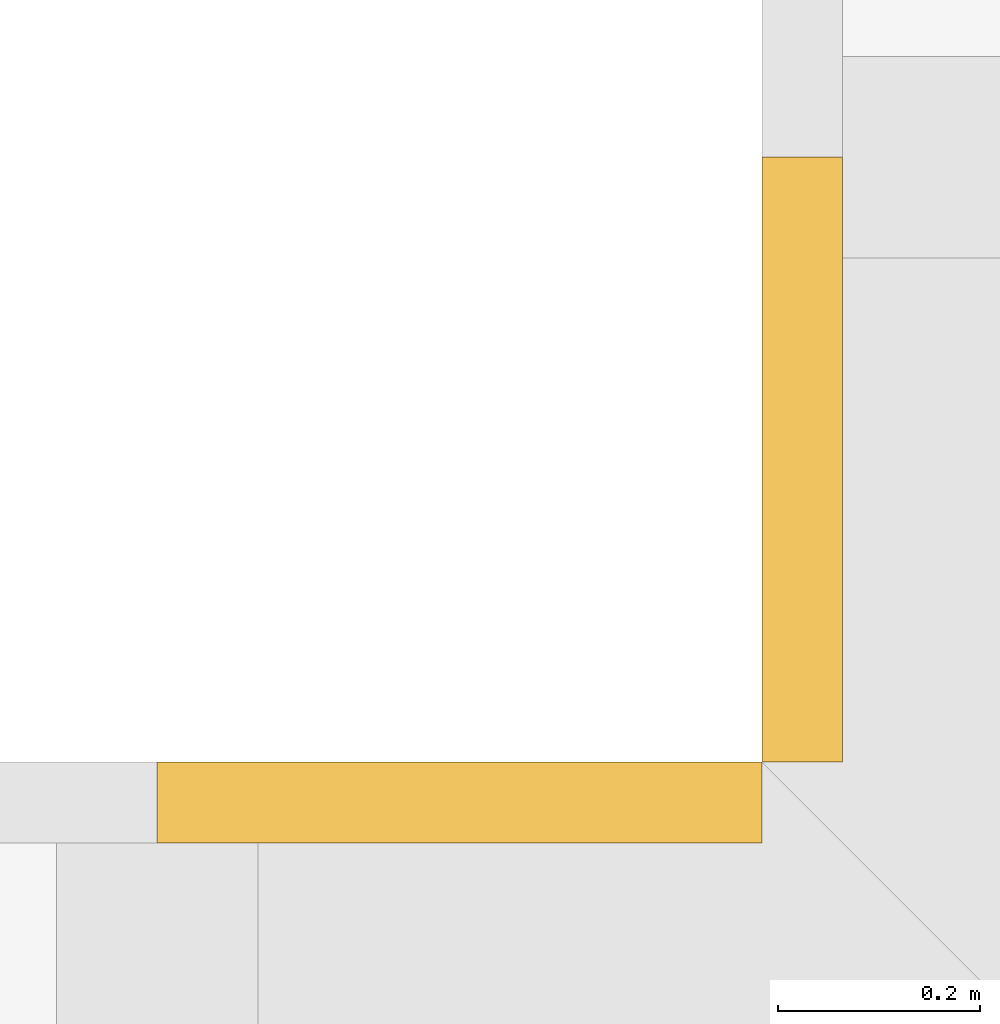
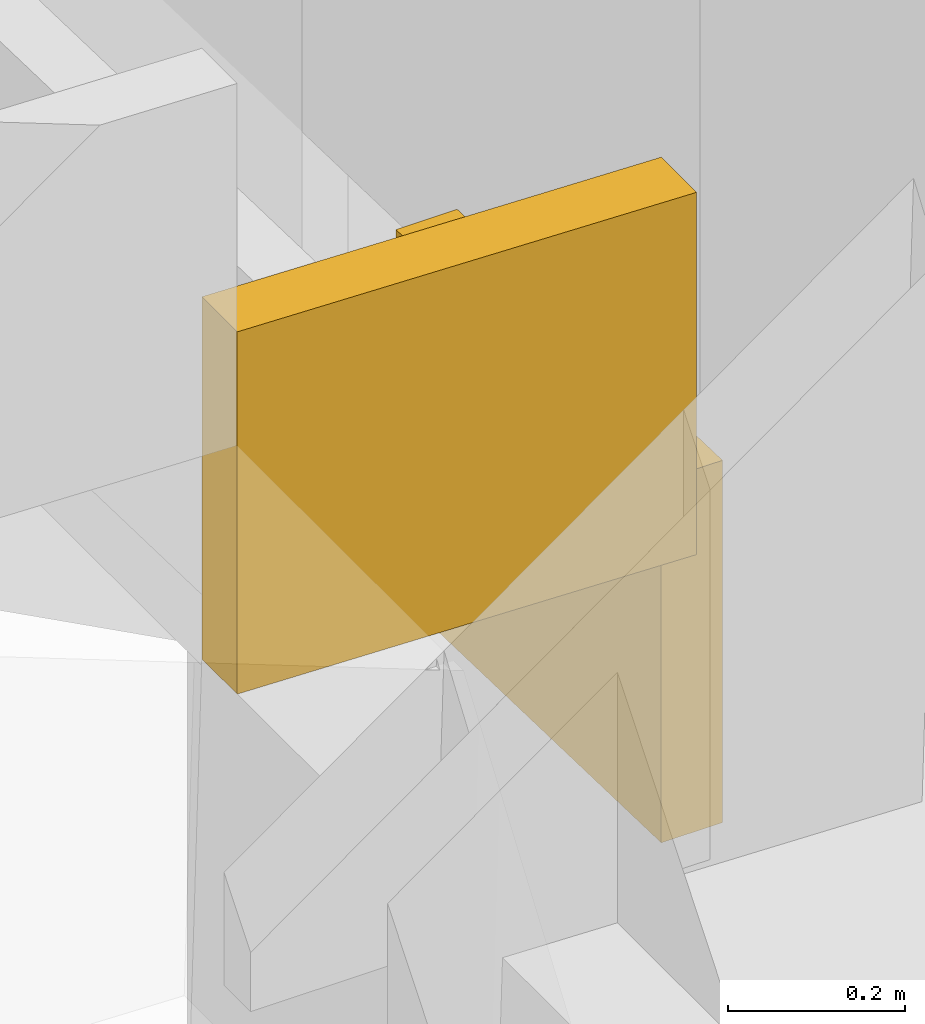
# One storey, part 28 of 29: 2 coverings.
"""IFC4 building model written with IfcOpenShell, lengths in metres."""

import ifcopenshell
import ifcopenshell.guid

model = None  # the IFC model being written
_history = None  # IfcOwnerHistory: only IFC2X3 demands one
_inside = {}  # id of a spatial element -> (the spatial element, [elements in it])
_under = {}  # id of a project, library or spatial element -> (it, [spatial elements below it])
_declared = {}  # id of a project -> (the project, [libraries it declares])
_typed = {}  # id of a type object -> (the type object, [elements of that type])
_made_of = {}  # id of a material, layer set ... -> (it, [elements and type objects made of it])


def new_model(schema):
    """Start an empty IFC model of exactly this schema.

    Asked for "IFC4X3", IfcOpenShell would pick the latest addendum, in which some entities
    have other attributes; the version numbers below select the first issue.
    IFC2X3 requires an IfcOwnerHistory on every rooted entity: one is made here for all.
    """
    global model, _history
    if schema == "IFC4X3":
        model = ifcopenshell.file(schema_version=(4, 3, 0, 0))
    else:
        model = ifcopenshell.file(schema=schema)
    _inside.clear()
    _under.clear()
    _declared.clear()
    _typed.clear()
    _made_of.clear()
    _history = None
    if model.schema == "IFC2X3":
        org = make("IfcOrganization", Name="unknown")
        user = make(
            "IfcPersonAndOrganization",
            ThePerson=make("IfcPerson", FamilyName="unknown"),
            TheOrganization=org,
        )
        app = make(
            "IfcApplication",
            ApplicationDeveloper=org,
            Version="unknown",
            ApplicationFullName="unknown",
            ApplicationIdentifier="unknown",
        )
        _history = make(
            "IfcOwnerHistory",
            OwningUser=user,
            OwningApplication=app,
            ChangeAction="ADDED",
            CreationDate=0,
        )
    return model


def make(cls, **values):
    """One entity of the class cls with the attributes given. An attribute that is None is left unset."""
    return model.create_entity(
        cls, **{name: value for name, value in values.items() if value is not None}
    )


def rooted(cls, **values):
    """An entity with a GlobalId (a new one), such as an element, a storey or a relation."""
    return make(cls, GlobalId=ifcopenshell.guid.new(), OwnerHistory=_history, **values)


def si_unit(unit_type, name, prefix=None):
    """IfcSIUnit, for example si_unit("LENGTHUNIT", "METRE", prefix="MILLI")."""
    return make("IfcSIUnit", UnitType=unit_type, Prefix=prefix, Name=name)


def assignment(units):
    """IfcUnitAssignment: the units of a project."""
    return None if units is None else make("IfcUnitAssignment", Units=units)


def point(xyz):
    """IfcCartesianPoint."""
    return None if xyz is None else make("IfcCartesianPoint", Coordinates=xyz)


def direction(xyz):
    """IfcDirection."""
    return None if xyz is None else make("IfcDirection", DirectionRatios=xyz)


def frame(location, z_axis=None, x_axis=None):
    """IfcAxis2Placement3D, a coordinate frame: its origin and axes. An axis left out is left unset."""
    return make(
        "IfcAxis2Placement3D",
        Location=point(location),
        Axis=direction(z_axis),
        RefDirection=direction(x_axis),
    )


def origin():
    """The frame at (0, 0, 0) with its axes left unset."""
    return frame((0.0, 0.0, 0.0))


def place(relative_to, where):
    """IfcLocalPlacement: puts the frame where relative to a parent placement (None: the world)."""
    return make(
        "IfcLocalPlacement", PlacementRelTo=relative_to, RelativePlacement=where
    )


def context(
    kind, dimensions, precision=None, world=None, true_north=None, identifier=None
):
    """IfcGeometricRepresentationContext, for example the 3D "Model" context."""
    return make(
        "IfcGeometricRepresentationContext",
        ContextIdentifier=identifier,
        ContextType=kind,
        CoordinateSpaceDimension=dimensions,
        Precision=precision,
        WorldCoordinateSystem=world,
        TrueNorth=true_north,
    )


def subcontext(parent, identifier, kind, view, scale=None):
    """IfcGeometricRepresentationSubContext, for example "Body" below "Model"."""
    return make(
        "IfcGeometricRepresentationSubContext",
        ContextIdentifier=identifier,
        ContextType=kind,
        ParentContext=parent,
        TargetScale=scale,
        TargetView=view,
    )


def project(units=None, contexts=None):
    """IfcProject with its units and contexts."""
    return rooted(
        "IfcProject",
        Name="project",
        RepresentationContexts=contexts,
        UnitsInContext=assignment(units),
    )


def spatial(cls, under=None, at=None, **own):
    """A site, building, storey or space (cls), placed at a placement, below another one or the project."""
    s = rooted(cls, ObjectPlacement=at, **own)
    if under is not None:
        _under.setdefault(under.id(), (under, []))[1].append(s)
    return s


def polyline(points):
    """IfcPolyline through the points."""
    return make("IfcPolyline", Points=[point(p) for p in points])


def outline(outer, holes=None, kind="AREA"):
    """IfcArbitraryClosedProfileDef: a profile drawn as a closed curve; with holes, ...WithVoids."""
    if holes is None:
        return make("IfcArbitraryClosedProfileDef", ProfileType=kind, OuterCurve=outer)
    return make(
        "IfcArbitraryProfileDefWithVoids",
        ProfileType=kind,
        OuterCurve=outer,
        InnerCurves=holes,
    )


def extrude(swept, where, along, depth):
    """IfcExtrudedAreaSolid: the profile swept, set in the frame where, extruded along a direction by depth."""
    return make(
        "IfcExtrudedAreaSolid",
        SweptArea=swept,
        Position=where,
        ExtrudedDirection=direction(along),
        Depth=depth,
    )


def shape(context_of_items, identifier, shape_type, items):
    """IfcShapeRepresentation: the items that make up one representation, for example the "Body"."""
    return make(
        "IfcShapeRepresentation",
        ContextOfItems=context_of_items,
        RepresentationIdentifier=identifier,
        RepresentationType=shape_type,
        Items=items,
    )


def material(Name=None, Category=None):
    """IfcMaterial."""
    return make("IfcMaterial", Name=Name, Category=Category)


def layer(
    of_material, thickness, ventilated=None, Name=None, Category=None, Priority=None
):
    """IfcMaterialLayer: one layer of a wall or slab, of a material (None: an air gap)."""
    return make(
        "IfcMaterialLayer",
        Material=of_material,
        LayerThickness=thickness,
        IsVentilated=ventilated,
        Name=Name,
        Category=Category,
        Priority=Priority,
    )


def layer_set(layers, Name=None):
    """IfcMaterialLayerSet."""
    return make("IfcMaterialLayerSet", MaterialLayers=layers, LayerSetName=Name)


def made_of(thing, what):
    """Note that an element or type object is made of a material, layer set ...; save() writes the relation."""
    if what is not None:
        _made_of.setdefault(what.id(), (what, []))[1].append(thing)
    return thing


def type_object(cls, material=None, **own):
    """A type object (cls), such as IfcWallType, which elements share."""
    return made_of(rooted(cls, **own), material)


def element(
    cls,
    number,
    at=None,
    inside=None,
    cuts=None,
    type_object=None,
    material=None,
    context=None,
    identifier="Body",
    shape_type=None,
    held_by="IfcProductDefinitionShape",
    body=None,
    shapes=None,
    **own,
):
    """One element of the class cls, such as IfcWall. Its Tag is "e" and its number.

    at: its placement. inside: the storey or other place that contains it. cuts: it is an
    opening in that element (IfcRelVoidsElement). A single representation is given by context,
    identifier, shape_type and body (its items); several are given by shapes. held_by: the class
    of the entity that holds the representations. save() writes the other relations.
    """
    e = rooted(cls, Tag="e%d" % number, ObjectPlacement=at, **own)
    if body is not None:
        shapes = [shape(context, identifier, shape_type, body)]
    if shapes is not None:
        e.Representation = make(held_by, Representations=shapes)
    if inside is not None:
        _inside.setdefault(inside.id(), (inside, []))[1].append(e)
    if cuts is not None:
        rooted(
            "IfcRelVoidsElement", RelatingBuildingElement=cuts, RelatedOpeningElement=e
        )
    if type_object is not None:
        _typed.setdefault(type_object.id(), (type_object, []))[1].append(e)
    return made_of(e, material)


def aggregate(whole, parts):
    """IfcRelAggregates: a whole, such as a stair, and the parts it consists of."""
    return rooted("IfcRelAggregates", RelatingObject=whole, RelatedObjects=parts)


def save(model, path):
    """Write the relations noted so far, then the file.

    IfcRelAggregates (storeys below a building ...), IfcRelContainedInSpatialStructure (elements
    in a storey), IfcRelDefinesByType, IfcRelAssociatesMaterial and IfcRelDeclares: one each for
    every whole, place, type object, material and project.
    """
    for whole, parts in _under.values():
        aggregate(whole, parts)
    for where, things in _inside.values():
        rooted(
            "IfcRelContainedInSpatialStructure",
            RelatedElements=things,
            RelatingStructure=where,
        )
    for kind, things in _typed.values():
        rooted("IfcRelDefinesByType", RelatedObjects=things, RelatingType=kind)
    for what, things in _made_of.values():
        rooted("IfcRelAssociatesMaterial", RelatedObjects=things, RelatingMaterial=what)
    for by, libraries in _declared.values():
        rooted("IfcRelDeclares", RelatingContext=by, RelatedDefinitions=libraries)
    model.write(path)


model = new_model("IFC4")

# Units and contexts
model_context = context("Model", 3, precision=1e-05, world=origin(), true_north=direction((0.0, 1.0)))
body_context = subcontext(model_context, "Body", "Model", "MODEL_VIEW")
ifc_project = project(units=[si_unit("LENGTHUNIT", "METRE"), si_unit("AREAUNIT", "SQUARE_METRE"), si_unit("VOLUMEUNIT", "CUBIC_METRE"), si_unit("PLANEANGLEUNIT", "RADIAN"), si_unit("MASSUNIT", "GRAM", prefix="KILO")], contexts=[model_context])

# Site, building, storey
site_placement = place(None, origin())
site = spatial("IfcSite", under=ifc_project, at=site_placement, CompositionType="ELEMENT")
building_placement = place(site_placement, origin())
building = spatial("IfcBuilding", under=site, at=building_placement, Name="Saffron Gate Tower", CompositionType="ELEMENT")
storey_placement = place(building_placement, frame((0.0, 0.0, 106.050048828125)))
storey = spatial("IfcBuildingStorey", under=building, at=storey_placement, Name="L24", CompositionType="ELEMENT", Elevation=106.050048828125)

# Coverings
ifc_material = material(Name="Timber, thermally modified ash", Category="wood")
ifc_layer = layer(ifc_material, 0.080078125)
ifc_layer_set = layer_set([ifc_layer], Name="LD2 ledge planter trough")
covering_type = type_object("IfcCoveringType", Name="LD2 ledge planter trough", PredefinedType="CLADDING", material=ifc_layer_set)
covering_1_placement = place(storey_placement, frame((50.39990234375, 73.800048828125, 2.56591796875), z_axis=(-1.0, 0.0, 0.0), x_axis=(0.0, -0.999583081391, 0.028873229772)))
element("IfcCovering", 1, at=covering_1_placement, inside=storey, type_object=covering_type, Name="LEDGE planter trough", PredefinedType="CLADDING", context=body_context, shape_type="SweptSolid", body=[
    extrude(outline(polyline([(0.0, 0.0), (0.6003479524834376, -3.469446951953614e-18), (0.6147845673692678, 0.4997915406953566), (0.014436614885830073, 0.4997915406953566), (0.0, 0.0)])), origin(), (0.0, 0.0, -1.0), 0.080078125),
])
covering_2_placement = place(storey_placement, frame((50.39990234375, 73.199951171875, 3.02978515625), z_axis=(0.0, 1.0, 0.0), x_axis=(-0.999582742162, 0.0, 0.028884971385)))
element("IfcCovering", 2, at=covering_2_placement, inside=storey, type_object=covering_type, Name="LEDGE planter trough", PredefinedType="CLADDING", context=body_context, shape_type="SweptSolid", body=[
    extrude(outline(polyline([(0.0, 0.0), (0.6001039136866089, 0.0), (0.614546399379222, 0.4997913710809928), (0.014442485692613144, 0.49979137108099286), (0.0, 0.0)])), origin(), (0.0, 0.0, -1.0), 0.080078125),
])

save(model, "model.ifc")
